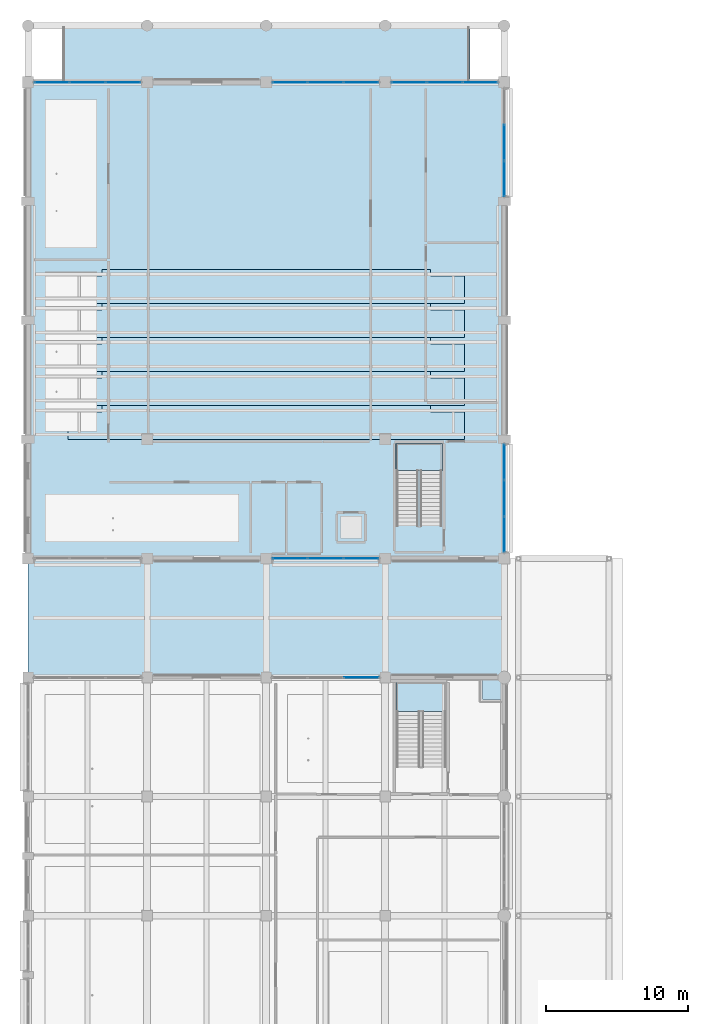
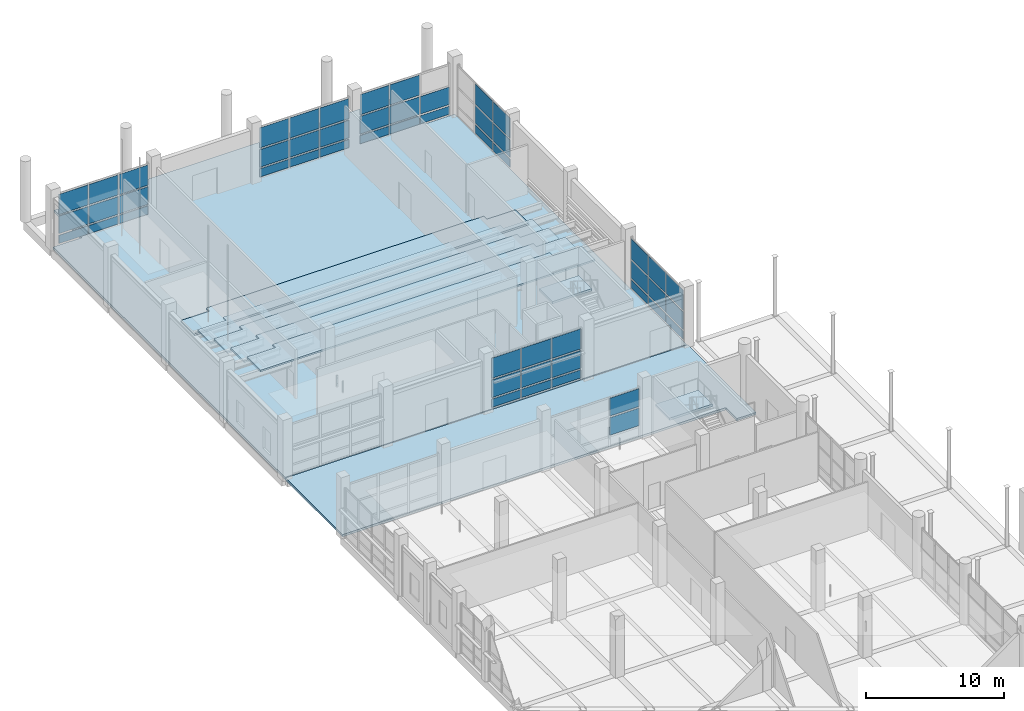
# One storey, part 50 of 140: 52 plates, 9 slabs, 9 elements without a shape of their own.
"""IFC4 building model written with IfcOpenShell, lengths in metres."""

import ifcopenshell
import ifcopenshell.guid

model = None  # the IFC model being written
_history = None  # IfcOwnerHistory: only IFC2X3 demands one
_inside = {}  # id of a spatial element -> (the spatial element, [elements in it])
_under = {}  # id of a project, library or spatial element -> (it, [spatial elements below it])
_declared = {}  # id of a project -> (the project, [libraries it declares])
_typed = {}  # id of a type object -> (the type object, [elements of that type])
_made_of = {}  # id of a material, layer set ... -> (it, [elements and type objects made of it])


def new_model(schema):
    """Start an empty IFC model of exactly this schema.

    Asked for "IFC4X3", IfcOpenShell would pick the latest addendum, in which some entities
    have other attributes; the version numbers below select the first issue.
    IFC2X3 requires an IfcOwnerHistory on every rooted entity: one is made here for all.
    """
    global model, _history
    if schema == "IFC4X3":
        model = ifcopenshell.file(schema_version=(4, 3, 0, 0))
    else:
        model = ifcopenshell.file(schema=schema)
    _inside.clear()
    _under.clear()
    _declared.clear()
    _typed.clear()
    _made_of.clear()
    _history = None
    if model.schema == "IFC2X3":
        org = make("IfcOrganization", Name="unknown")
        user = make(
            "IfcPersonAndOrganization",
            ThePerson=make("IfcPerson", FamilyName="unknown"),
            TheOrganization=org,
        )
        app = make(
            "IfcApplication",
            ApplicationDeveloper=org,
            Version="unknown",
            ApplicationFullName="unknown",
            ApplicationIdentifier="unknown",
        )
        _history = make(
            "IfcOwnerHistory",
            OwningUser=user,
            OwningApplication=app,
            ChangeAction="ADDED",
            CreationDate=0,
        )
    return model


def make(cls, **values):
    """One entity of the class cls with the attributes given. An attribute that is None is left unset."""
    return model.create_entity(
        cls, **{name: value for name, value in values.items() if value is not None}
    )


def rooted(cls, **values):
    """An entity with a GlobalId (a new one), such as an element, a storey or a relation."""
    return make(cls, GlobalId=ifcopenshell.guid.new(), OwnerHistory=_history, **values)


def si_unit(unit_type, name, prefix=None):
    """IfcSIUnit, for example si_unit("LENGTHUNIT", "METRE", prefix="MILLI")."""
    return make("IfcSIUnit", UnitType=unit_type, Prefix=prefix, Name=name)


def assignment(units):
    """IfcUnitAssignment: the units of a project."""
    return None if units is None else make("IfcUnitAssignment", Units=units)


def point(xyz):
    """IfcCartesianPoint."""
    return None if xyz is None else make("IfcCartesianPoint", Coordinates=xyz)


def direction(xyz):
    """IfcDirection."""
    return None if xyz is None else make("IfcDirection", DirectionRatios=xyz)


def frame(location, z_axis=None, x_axis=None):
    """IfcAxis2Placement3D, a coordinate frame: its origin and axes. An axis left out is left unset."""
    return make(
        "IfcAxis2Placement3D",
        Location=point(location),
        Axis=direction(z_axis),
        RefDirection=direction(x_axis),
    )


def frame_2d(location, x_axis=None):
    """IfcAxis2Placement2D, a coordinate frame in the plane: its origin and x axis."""
    return make(
        "IfcAxis2Placement2D", Location=point(location), RefDirection=direction(x_axis)
    )


def origin():
    """The frame at (0, 0, 0) with its axes left unset."""
    return frame((0.0, 0.0, 0.0))


def origin_2d():
    """The frame at (0, 0) in the plane with its x axis left unset."""
    return frame_2d((0.0, 0.0))


def place(relative_to, where):
    """IfcLocalPlacement: puts the frame where relative to a parent placement (None: the world)."""
    return make(
        "IfcLocalPlacement", PlacementRelTo=relative_to, RelativePlacement=where
    )


def context(
    kind, dimensions, precision=None, world=None, true_north=None, identifier=None
):
    """IfcGeometricRepresentationContext, for example the 3D "Model" context."""
    return make(
        "IfcGeometricRepresentationContext",
        ContextIdentifier=identifier,
        ContextType=kind,
        CoordinateSpaceDimension=dimensions,
        Precision=precision,
        WorldCoordinateSystem=world,
        TrueNorth=true_north,
    )


def subcontext(parent, identifier, kind, view, scale=None):
    """IfcGeometricRepresentationSubContext, for example "Body" below "Model"."""
    return make(
        "IfcGeometricRepresentationSubContext",
        ContextIdentifier=identifier,
        ContextType=kind,
        ParentContext=parent,
        TargetScale=scale,
        TargetView=view,
    )


def project(units=None, contexts=None):
    """IfcProject with its units and contexts."""
    return rooted(
        "IfcProject",
        Name="project",
        RepresentationContexts=contexts,
        UnitsInContext=assignment(units),
    )


def spatial(cls, under=None, at=None, **own):
    """A site, building, storey or space (cls), placed at a placement, below another one or the project."""
    s = rooted(cls, ObjectPlacement=at, **own)
    if under is not None:
        _under.setdefault(under.id(), (under, []))[1].append(s)
    return s


def polyline(points):
    """IfcPolyline through the points."""
    return make("IfcPolyline", Points=[point(p) for p in points])


def profile(cls, at=None, kind="AREA", **sizes):
    """A parametric profile (cls). Its sizes go by their IFC names, for example OverallWidth=200.0."""
    return make(cls, ProfileType=kind, Position=at, **sizes)


def rectangle(**sizes):
    """IfcRectangleProfileDef."""
    return profile("IfcRectangleProfileDef", **sizes)


def outline(outer, holes=None, kind="AREA"):
    """IfcArbitraryClosedProfileDef: a profile drawn as a closed curve; with holes, ...WithVoids."""
    if holes is None:
        return make("IfcArbitraryClosedProfileDef", ProfileType=kind, OuterCurve=outer)
    return make(
        "IfcArbitraryProfileDefWithVoids",
        ProfileType=kind,
        OuterCurve=outer,
        InnerCurves=holes,
    )


def extrude(swept, where, along, depth):
    """IfcExtrudedAreaSolid: the profile swept, set in the frame where, extruded along a direction by depth."""
    return make(
        "IfcExtrudedAreaSolid",
        SweptArea=swept,
        Position=where,
        ExtrudedDirection=direction(along),
        Depth=depth,
    )


def shape(context_of_items, identifier, shape_type, items):
    """IfcShapeRepresentation: the items that make up one representation, for example the "Body"."""
    return make(
        "IfcShapeRepresentation",
        ContextOfItems=context_of_items,
        RepresentationIdentifier=identifier,
        RepresentationType=shape_type,
        Items=items,
    )


def material(Name=None, Category=None):
    """IfcMaterial."""
    return make("IfcMaterial", Name=Name, Category=Category)


def layer(
    of_material, thickness, ventilated=None, Name=None, Category=None, Priority=None
):
    """IfcMaterialLayer: one layer of a wall or slab, of a material (None: an air gap)."""
    return make(
        "IfcMaterialLayer",
        Material=of_material,
        LayerThickness=thickness,
        IsVentilated=ventilated,
        Name=Name,
        Category=Category,
        Priority=Priority,
    )


def layer_set(layers, Name=None):
    """IfcMaterialLayerSet."""
    return make("IfcMaterialLayerSet", MaterialLayers=layers, LayerSetName=Name)


def made_of(thing, what):
    """Note that an element or type object is made of a material, layer set ...; save() writes the relation."""
    if what is not None:
        _made_of.setdefault(what.id(), (what, []))[1].append(thing)
    return thing


def type_object(cls, material=None, **own):
    """A type object (cls), such as IfcWallType, which elements share."""
    return made_of(rooted(cls, **own), material)


def element(
    cls,
    number,
    at=None,
    inside=None,
    cuts=None,
    type_object=None,
    material=None,
    context=None,
    identifier="Body",
    shape_type=None,
    held_by="IfcProductDefinitionShape",
    body=None,
    shapes=None,
    **own,
):
    """One element of the class cls, such as IfcWall. Its Tag is "e" and its number.

    at: its placement. inside: the storey or other place that contains it. cuts: it is an
    opening in that element (IfcRelVoidsElement). A single representation is given by context,
    identifier, shape_type and body (its items); several are given by shapes. held_by: the class
    of the entity that holds the representations. save() writes the other relations.
    """
    e = rooted(cls, Tag="e%d" % number, ObjectPlacement=at, **own)
    if body is not None:
        shapes = [shape(context, identifier, shape_type, body)]
    if shapes is not None:
        e.Representation = make(held_by, Representations=shapes)
    if inside is not None:
        _inside.setdefault(inside.id(), (inside, []))[1].append(e)
    if cuts is not None:
        rooted(
            "IfcRelVoidsElement", RelatingBuildingElement=cuts, RelatedOpeningElement=e
        )
    if type_object is not None:
        _typed.setdefault(type_object.id(), (type_object, []))[1].append(e)
    return made_of(e, material)


def aggregate(whole, parts):
    """IfcRelAggregates: a whole, such as a stair, and the parts it consists of."""
    return rooted("IfcRelAggregates", RelatingObject=whole, RelatedObjects=parts)


def save(model, path):
    """Write the relations noted so far, then the file.

    IfcRelAggregates (storeys below a building ...), IfcRelContainedInSpatialStructure (elements
    in a storey), IfcRelDefinesByType, IfcRelAssociatesMaterial and IfcRelDeclares: one each for
    every whole, place, type object, material and project.
    """
    for whole, parts in _under.values():
        aggregate(whole, parts)
    for where, things in _inside.values():
        rooted(
            "IfcRelContainedInSpatialStructure",
            RelatedElements=things,
            RelatingStructure=where,
        )
    for kind, things in _typed.values():
        rooted("IfcRelDefinesByType", RelatedObjects=things, RelatingType=kind)
    for what, things in _made_of.values():
        rooted("IfcRelAssociatesMaterial", RelatedObjects=things, RelatingMaterial=what)
    for by, libraries in _declared.values():
        rooted("IfcRelDeclares", RelatingContext=by, RelatedDefinitions=libraries)
    model.write(path)


model = new_model("IFC4")

# Units and contexts
model_context = context("Model", 3, precision=1e-05, world=origin(), true_north=direction((0.0, 1.0)))
body_context = subcontext(model_context, "Body", "Model", "MODEL_VIEW")
ifc_project = project(units=[si_unit("LENGTHUNIT", "METRE"), si_unit("AREAUNIT", "SQUARE_METRE"), si_unit("VOLUMEUNIT", "CUBIC_METRE"), si_unit("PLANEANGLEUNIT", "RADIAN"), si_unit("MASSUNIT", "GRAM", prefix="KILO")], contexts=[model_context])

# Site, building, storey
site_placement = place(None, origin())
site = spatial("IfcSite", under=ifc_project, at=site_placement, CompositionType="ELEMENT")
building_placement = place(site_placement, origin())
building = spatial("IfcBuilding", under=site, at=building_placement, Name="Telukmera Botanical Conservatory", CompositionType="ELEMENT")
storey_placement = place(building_placement, origin())
storey = spatial("IfcBuildingStorey", under=building, at=storey_placement, Name="L00", CompositionType="ELEMENT", Elevation=0.0)

# Curtain wall, plates
ifc_material_1 = material(Name="Anodised aluminium 6063-T6", Category="aluminium")
ifc_layer_1 = layer(ifc_material_1, 0.179931640625)
ifc_layer_set_1 = layer_set([ifc_layer_1], Name="Anodised aluminium 6063-T6")
curtain_wall_type_1 = type_object("IfcCurtainWallType", Name="Auditorium Ground Foyer Acoustic Curtain Wall", PredefinedType="USERDEFINED", material=ifc_layer_set_1)
curtain_wall_1_placement = place(storey_placement, origin())
curtain_wall_1 = element("IfcCurtainWall", 1, at=curtain_wall_1_placement, inside=storey, type_object=curtain_wall_type_1, Name="Unitised Curtain Wall CW04 V2:L00:S3", ObjectType="UNITISED CURTAIN WALL", PredefinedType="USERDEFINED")
ifc_material_2 = material(Name="Spectrally selective low-E double glazing", Category="glass")
ifc_layer_2 = layer(ifc_material_2, 0.044921875)
ifc_layer_set_2 = layer_set([ifc_layer_2], Name="Spectrally selective low-E double glazing")
plate_type_1 = type_object("IfcPlateType", Name="Acoustic Triple Laminated Foyer Glazing Panel 45", PredefinedType="CURTAIN_PANEL", material=ifc_layer_set_2)
plate_1_placement = place(storey_placement, frame((26.885498046875, 83.199951171875, 0.14990234375), z_axis=(0.0, 0.0, 1.0), x_axis=(1.0, 0.0, 0.0)))
plate_1 = element("IfcPlate", 2, at=plate_1_placement, type_object=plate_type_1, Name="CW04 panel 1.1", PredefinedType="CURTAIN_PANEL", context=body_context, shape_type="SweptSolid", body=[
    extrude(rectangle(XDim=2.427001953125, YDim=0.044921875, at=origin_2d()), origin(), (0.0, 0.0, 1.0), 0.72509765625),
])
plate_2_placement = place(storey_placement, frame((26.885498046875, 83.199951171875, 1.02490234375), z_axis=(0.0, 0.0, 1.0), x_axis=(1.0, 0.0, 0.0)))
plate_2 = element("IfcPlate", 3, at=plate_2_placement, type_object=plate_type_1, Name="CW04 panel 1.2", PredefinedType="CURTAIN_PANEL", context=body_context, shape_type="SweptSolid", body=[
    extrude(rectangle(XDim=2.427001953125, YDim=0.044921875, at=origin_2d()), origin(), (0.0, 0.0, 1.0), 1.550048828125),
])
plate_3_placement = place(storey_placement, frame((26.885498046875, 83.199951171875, 2.72509765625), z_axis=(0.0, 0.0, 1.0), x_axis=(1.0, 0.0, 0.0)))
plate_3 = element("IfcPlate", 4, at=plate_3_placement, type_object=plate_type_1, Name="CW04 panel 1.3", PredefinedType="CURTAIN_PANEL", context=body_context, shape_type="SweptSolid", body=[
    extrude(rectangle(XDim=2.427001953125, YDim=0.044921875, at=origin_2d()), origin(), (0.0, 0.0, 1.0), 1.77490234375),
])
plate_4_placement = place(storey_placement, frame((29.39990234375, 83.199951171875, 0.14990234375), z_axis=(0.0, 0.0, 1.0), x_axis=(1.0, 0.0, 0.0)))
plate_4 = element("IfcPlate", 5, at=plate_4_placement, type_object=plate_type_1, Name="CW04 panel 2.1", PredefinedType="CURTAIN_PANEL", context=body_context, shape_type="SweptSolid", body=[
    extrude(rectangle(XDim=2.4619140625, YDim=0.044921875, at=origin_2d()), origin(), (0.0, 0.0, 1.0), 0.72509765625),
])
plate_5_placement = place(storey_placement, frame((29.39990234375, 83.199951171875, 1.02490234375), z_axis=(0.0, 0.0, 1.0), x_axis=(1.0, 0.0, 0.0)))
plate_5 = element("IfcPlate", 6, at=plate_5_placement, type_object=plate_type_1, Name="CW04 panel 2.2", PredefinedType="CURTAIN_PANEL", context=body_context, shape_type="SweptSolid", body=[
    extrude(rectangle(XDim=2.4619140625, YDim=0.044921875, at=origin_2d()), origin(), (0.0, 0.0, 1.0), 1.550048828125),
])
plate_6_placement = place(storey_placement, frame((29.39990234375, 83.199951171875, 2.72509765625), z_axis=(0.0, 0.0, 1.0), x_axis=(1.0, 0.0, 0.0)))
plate_6 = element("IfcPlate", 7, at=plate_6_placement, type_object=plate_type_1, Name="CW04 panel 2.3", PredefinedType="CURTAIN_PANEL", context=body_context, shape_type="SweptSolid", body=[
    extrude(rectangle(XDim=2.4619140625, YDim=0.044921875, at=origin_2d()), origin(), (0.0, 0.0, 1.0), 1.77490234375),
])
plate_7_placement = place(storey_placement, frame((31.91455078125, 83.199951171875, 0.14990234375), z_axis=(0.0, 0.0, 1.0), x_axis=(1.0, 0.0, 0.0)))
plate_7 = element("IfcPlate", 8, at=plate_7_placement, type_object=plate_type_1, Name="CW04 panel 3.1", PredefinedType="CURTAIN_PANEL", context=body_context, shape_type="SweptSolid", body=[
    extrude(rectangle(XDim=2.427001953125, YDim=0.044921875, at=origin_2d()), origin(), (0.0, 0.0, 1.0), 0.72509765625),
])
plate_8_placement = place(storey_placement, frame((31.91455078125, 83.199951171875, 1.02490234375), z_axis=(0.0, 0.0, 1.0), x_axis=(1.0, 0.0, 0.0)))
plate_8 = element("IfcPlate", 9, at=plate_8_placement, type_object=plate_type_1, Name="CW04 panel 3.2", PredefinedType="CURTAIN_PANEL", context=body_context, shape_type="SweptSolid", body=[
    extrude(rectangle(XDim=2.427001953125, YDim=0.044921875, at=origin_2d()), origin(), (0.0, 0.0, 1.0), 1.550048828125),
])
plate_9_placement = place(storey_placement, frame((31.91455078125, 83.199951171875, 2.72509765625), z_axis=(0.0, 0.0, 1.0), x_axis=(1.0, 0.0, 0.0)))
plate_9 = element("IfcPlate", 10, at=plate_9_placement, type_object=plate_type_1, Name="CW04 panel 3.3", PredefinedType="CURTAIN_PANEL", context=body_context, shape_type="SweptSolid", body=[
    extrude(rectangle(XDim=2.427001953125, YDim=0.044921875, at=origin_2d()), origin(), (0.0, 0.0, 1.0), 1.77490234375),
])
aggregate(curtain_wall_1, [plate_1, plate_2, plate_3, plate_4, plate_5, plate_6, plate_7, plate_8, plate_9])

curtain_wall_2_placement = place(storey_placement, origin())
curtain_wall_2 = element("IfcCurtainWall", 11, at=curtain_wall_2_placement, inside=storey, type_object=curtain_wall_type_1, Name="Unitised Curtain Wall CW04 V2:L00:N1", ObjectType="UNITISED CURTAIN WALL", PredefinedType="USERDEFINED")
plate_10_placement = place(storey_placement, frame((10.08544921875, 116.800048828125, 0.14990234375), z_axis=(0.0, 0.0, 1.0), x_axis=(1.0, 0.0, 0.0)))
plate_10 = element("IfcPlate", 12, at=plate_10_placement, type_object=plate_type_1, Name="CW04 panel 1.1", PredefinedType="CURTAIN_PANEL", context=body_context, shape_type="SweptSolid", body=[
    extrude(rectangle(XDim=2.427001953125, YDim=0.044921875, at=origin_2d()), origin(), (0.0, 0.0, 1.0), 0.72509765625),
])
plate_11_placement = place(storey_placement, frame((10.08544921875, 116.800048828125, 1.02490234375), z_axis=(0.0, 0.0, 1.0), x_axis=(1.0, 0.0, 0.0)))
plate_11 = element("IfcPlate", 13, at=plate_11_placement, type_object=plate_type_1, Name="CW04 panel 1.2", PredefinedType="CURTAIN_PANEL", context=body_context, shape_type="SweptSolid", body=[
    extrude(rectangle(XDim=2.427001953125, YDim=0.044921875, at=origin_2d()), origin(), (0.0, 0.0, 1.0), 1.550048828125),
])
plate_12_placement = place(storey_placement, frame((10.08544921875, 116.800048828125, 2.72509765625), z_axis=(0.0, 0.0, 1.0), x_axis=(1.0, 0.0, 0.0)))
plate_12 = element("IfcPlate", 14, at=plate_12_placement, type_object=plate_type_1, Name="CW04 panel 1.3", PredefinedType="CURTAIN_PANEL", context=body_context, shape_type="SweptSolid", body=[
    extrude(rectangle(XDim=2.427001953125, YDim=0.044921875, at=origin_2d()), origin(), (0.0, 0.0, 1.0), 1.77490234375),
])
plate_13_placement = place(storey_placement, frame((12.60009765625, 116.800048828125, 0.14990234375), z_axis=(0.0, 0.0, 1.0), x_axis=(1.0, 0.0, 0.0)))
plate_13 = element("IfcPlate", 15, at=plate_13_placement, type_object=plate_type_1, Name="CW04 panel 2.1", PredefinedType="CURTAIN_PANEL", context=body_context, shape_type="SweptSolid", body=[
    extrude(rectangle(XDim=2.4619140625, YDim=0.044921875, at=origin_2d()), origin(), (0.0, 0.0, 1.0), 0.72509765625),
])
plate_14_placement = place(storey_placement, frame((12.60009765625, 116.800048828125, 1.02490234375), z_axis=(0.0, 0.0, 1.0), x_axis=(1.0, 0.0, 0.0)))
plate_14 = element("IfcPlate", 16, at=plate_14_placement, type_object=plate_type_1, Name="CW04 panel 2.2", PredefinedType="CURTAIN_PANEL", context=body_context, shape_type="SweptSolid", body=[
    extrude(rectangle(XDim=2.4619140625, YDim=0.044921875, at=origin_2d()), origin(), (0.0, 0.0, 1.0), 1.550048828125),
])
plate_15_placement = place(storey_placement, frame((12.60009765625, 116.800048828125, 2.72509765625), z_axis=(0.0, 0.0, 1.0), x_axis=(1.0, 0.0, 0.0)))
plate_15 = element("IfcPlate", 17, at=plate_15_placement, type_object=plate_type_1, Name="CW04 panel 2.3", PredefinedType="CURTAIN_PANEL", context=body_context, shape_type="SweptSolid", body=[
    extrude(rectangle(XDim=2.4619140625, YDim=0.044921875, at=origin_2d()), origin(), (0.0, 0.0, 1.0), 1.77490234375),
])
plate_16_placement = place(storey_placement, frame((15.114501953125, 116.800048828125, 0.14990234375), z_axis=(0.0, 0.0, 1.0), x_axis=(1.0, 0.0, 0.0)))
plate_16 = element("IfcPlate", 18, at=plate_16_placement, type_object=plate_type_1, Name="CW04 panel 3.1", PredefinedType="CURTAIN_PANEL", context=body_context, shape_type="SweptSolid", body=[
    extrude(rectangle(XDim=2.427001953125, YDim=0.044921875, at=origin_2d()), origin(), (0.0, 0.0, 1.0), 0.72509765625),
])
plate_17_placement = place(storey_placement, frame((15.114501953125, 116.800048828125, 1.02490234375), z_axis=(0.0, 0.0, 1.0), x_axis=(1.0, 0.0, 0.0)))
plate_17 = element("IfcPlate", 19, at=plate_17_placement, type_object=plate_type_1, Name="CW04 panel 3.2", PredefinedType="CURTAIN_PANEL", context=body_context, shape_type="SweptSolid", body=[
    extrude(rectangle(XDim=2.427001953125, YDim=0.044921875, at=origin_2d()), origin(), (0.0, 0.0, 1.0), 1.550048828125),
])
plate_18_placement = place(storey_placement, frame((15.114501953125, 116.800048828125, 2.72509765625), z_axis=(0.0, 0.0, 1.0), x_axis=(1.0, 0.0, 0.0)))
plate_18 = element("IfcPlate", 20, at=plate_18_placement, type_object=plate_type_1, Name="CW04 panel 3.3", PredefinedType="CURTAIN_PANEL", context=body_context, shape_type="SweptSolid", body=[
    extrude(rectangle(XDim=2.427001953125, YDim=0.044921875, at=origin_2d()), origin(), (0.0, 0.0, 1.0), 1.77490234375),
])
aggregate(curtain_wall_2, [plate_10, plate_11, plate_12, plate_13, plate_14, plate_15, plate_16, plate_17, plate_18])

curtain_wall_3_placement = place(storey_placement, origin())
curtain_wall_3 = element("IfcCurtainWall", 21, at=curtain_wall_3_placement, inside=storey, type_object=curtain_wall_type_1, Name="Unitised Curtain Wall CW04 V2:L00:N3", ObjectType="UNITISED CURTAIN WALL", PredefinedType="USERDEFINED")
plate_19_placement = place(storey_placement, frame((26.885498046875, 116.800048828125, 0.14990234375), z_axis=(0.0, 0.0, 1.0), x_axis=(1.0, 0.0, 0.0)))
plate_19 = element("IfcPlate", 22, at=plate_19_placement, type_object=plate_type_1, Name="CW04 panel 1.1", PredefinedType="CURTAIN_PANEL", context=body_context, shape_type="SweptSolid", body=[
    extrude(rectangle(XDim=2.427001953125, YDim=0.044921875, at=origin_2d()), origin(), (0.0, 0.0, 1.0), 0.72509765625),
])
plate_20_placement = place(storey_placement, frame((26.885498046875, 116.800048828125, 1.02490234375), z_axis=(0.0, 0.0, 1.0), x_axis=(1.0, 0.0, 0.0)))
plate_20 = element("IfcPlate", 23, at=plate_20_placement, type_object=plate_type_1, Name="CW04 panel 1.2", PredefinedType="CURTAIN_PANEL", context=body_context, shape_type="SweptSolid", body=[
    extrude(rectangle(XDim=2.427001953125, YDim=0.044921875, at=origin_2d()), origin(), (0.0, 0.0, 1.0), 1.550048828125),
])
plate_21_placement = place(storey_placement, frame((26.885498046875, 116.800048828125, 2.72509765625), z_axis=(0.0, 0.0, 1.0), x_axis=(1.0, 0.0, 0.0)))
plate_21 = element("IfcPlate", 24, at=plate_21_placement, type_object=plate_type_1, Name="CW04 panel 1.3", PredefinedType="CURTAIN_PANEL", context=body_context, shape_type="SweptSolid", body=[
    extrude(rectangle(XDim=2.427001953125, YDim=0.044921875, at=origin_2d()), origin(), (0.0, 0.0, 1.0), 1.77490234375),
])
plate_22_placement = place(storey_placement, frame((29.39990234375, 116.800048828125, 0.14990234375), z_axis=(0.0, 0.0, 1.0), x_axis=(1.0, 0.0, 0.0)))
plate_22 = element("IfcPlate", 25, at=plate_22_placement, type_object=plate_type_1, Name="CW04 panel 2.1", PredefinedType="CURTAIN_PANEL", context=body_context, shape_type="SweptSolid", body=[
    extrude(rectangle(XDim=2.4619140625, YDim=0.044921875, at=origin_2d()), origin(), (0.0, 0.0, 1.0), 0.72509765625),
])
plate_23_placement = place(storey_placement, frame((29.39990234375, 116.800048828125, 1.02490234375), z_axis=(0.0, 0.0, 1.0), x_axis=(1.0, 0.0, 0.0)))
plate_23 = element("IfcPlate", 26, at=plate_23_placement, type_object=plate_type_1, Name="CW04 panel 2.2", PredefinedType="CURTAIN_PANEL", context=body_context, shape_type="SweptSolid", body=[
    extrude(rectangle(XDim=2.4619140625, YDim=0.044921875, at=origin_2d()), origin(), (0.0, 0.0, 1.0), 1.550048828125),
])
plate_24_placement = place(storey_placement, frame((29.39990234375, 116.800048828125, 2.72509765625), z_axis=(0.0, 0.0, 1.0), x_axis=(1.0, 0.0, 0.0)))
plate_24 = element("IfcPlate", 27, at=plate_24_placement, type_object=plate_type_1, Name="CW04 panel 2.3", PredefinedType="CURTAIN_PANEL", context=body_context, shape_type="SweptSolid", body=[
    extrude(rectangle(XDim=2.4619140625, YDim=0.044921875, at=origin_2d()), origin(), (0.0, 0.0, 1.0), 1.77490234375),
])
plate_25_placement = place(storey_placement, frame((31.91455078125, 116.800048828125, 0.14990234375), z_axis=(0.0, 0.0, 1.0), x_axis=(1.0, 0.0, 0.0)))
plate_25 = element("IfcPlate", 28, at=plate_25_placement, type_object=plate_type_1, Name="CW04 panel 3.1", PredefinedType="CURTAIN_PANEL", context=body_context, shape_type="SweptSolid", body=[
    extrude(rectangle(XDim=2.427001953125, YDim=0.044921875, at=origin_2d()), origin(), (0.0, 0.0, 1.0), 0.72509765625),
])
plate_26_placement = place(storey_placement, frame((31.91455078125, 116.800048828125, 1.02490234375), z_axis=(0.0, 0.0, 1.0), x_axis=(1.0, 0.0, 0.0)))
plate_26 = element("IfcPlate", 29, at=plate_26_placement, type_object=plate_type_1, Name="CW04 panel 3.2", PredefinedType="CURTAIN_PANEL", context=body_context, shape_type="SweptSolid", body=[
    extrude(rectangle(XDim=2.427001953125, YDim=0.044921875, at=origin_2d()), origin(), (0.0, 0.0, 1.0), 1.550048828125),
])
plate_27_placement = place(storey_placement, frame((31.91455078125, 116.800048828125, 2.72509765625), z_axis=(0.0, 0.0, 1.0), x_axis=(1.0, 0.0, 0.0)))
plate_27 = element("IfcPlate", 30, at=plate_27_placement, type_object=plate_type_1, Name="CW04 panel 3.3", PredefinedType="CURTAIN_PANEL", context=body_context, shape_type="SweptSolid", body=[
    extrude(rectangle(XDim=2.427001953125, YDim=0.044921875, at=origin_2d()), origin(), (0.0, 0.0, 1.0), 1.77490234375),
])
aggregate(curtain_wall_3, [plate_19, plate_20, plate_21, plate_22, plate_23, plate_24, plate_25, plate_26, plate_27])

curtain_wall_4_placement = place(storey_placement, origin())
curtain_wall_4 = element("IfcCurtainWall", 31, at=curtain_wall_4_placement, inside=storey, type_object=curtain_wall_type_1, Name="Unitised Curtain Wall CW04 V2:L00:N4", ObjectType="UNITISED CURTAIN WALL", PredefinedType="USERDEFINED")
plate_28_placement = place(storey_placement, frame((35.285400390625, 116.800048828125, 0.14990234375), z_axis=(0.0, 0.0, 1.0), x_axis=(1.0, 0.0, 0.0)))
plate_28 = element("IfcPlate", 32, at=plate_28_placement, type_object=plate_type_1, Name="CW04 panel 1.1", PredefinedType="CURTAIN_PANEL", context=body_context, shape_type="SweptSolid", body=[
    extrude(rectangle(XDim=2.427001953125, YDim=0.044921875, at=origin_2d()), origin(), (0.0, 0.0, 1.0), 0.72509765625),
])
plate_29_placement = place(storey_placement, frame((35.285400390625, 116.800048828125, 1.02490234375), z_axis=(0.0, 0.0, 1.0), x_axis=(1.0, 0.0, 0.0)))
plate_29 = element("IfcPlate", 33, at=plate_29_placement, type_object=plate_type_1, Name="CW04 panel 1.2", PredefinedType="CURTAIN_PANEL", context=body_context, shape_type="SweptSolid", body=[
    extrude(rectangle(XDim=2.427001953125, YDim=0.044921875, at=origin_2d()), origin(), (0.0, 0.0, 1.0), 1.550048828125),
])
plate_30_placement = place(storey_placement, frame((35.285400390625, 116.800048828125, 2.72509765625), z_axis=(0.0, 0.0, 1.0), x_axis=(1.0, 0.0, 0.0)))
plate_30 = element("IfcPlate", 34, at=plate_30_placement, type_object=plate_type_1, Name="CW04 panel 1.3", PredefinedType="CURTAIN_PANEL", context=body_context, shape_type="SweptSolid", body=[
    extrude(rectangle(XDim=2.427001953125, YDim=0.044921875, at=origin_2d()), origin(), (0.0, 0.0, 1.0), 1.77490234375),
])
plate_31_placement = place(storey_placement, frame((37.800048828125, 116.800048828125, 0.14990234375), z_axis=(0.0, 0.0, 1.0), x_axis=(1.0, 0.0, 0.0)))
plate_31 = element("IfcPlate", 35, at=plate_31_placement, type_object=plate_type_1, Name="CW04 panel 2.1", PredefinedType="CURTAIN_PANEL", context=body_context, shape_type="SweptSolid", body=[
    extrude(rectangle(XDim=2.4619140625, YDim=0.044921875, at=origin_2d()), origin(), (0.0, 0.0, 1.0), 0.72509765625),
])
plate_32_placement = place(storey_placement, frame((37.800048828125, 116.800048828125, 1.02490234375), z_axis=(0.0, 0.0, 1.0), x_axis=(1.0, 0.0, 0.0)))
plate_32 = element("IfcPlate", 36, at=plate_32_placement, type_object=plate_type_1, Name="CW04 panel 2.2", PredefinedType="CURTAIN_PANEL", context=body_context, shape_type="SweptSolid", body=[
    extrude(rectangle(XDim=2.4619140625, YDim=0.044921875, at=origin_2d()), origin(), (0.0, 0.0, 1.0), 1.550048828125),
])
plate_33_placement = place(storey_placement, frame((37.800048828125, 116.800048828125, 2.72509765625), z_axis=(0.0, 0.0, 1.0), x_axis=(1.0, 0.0, 0.0)))
plate_33 = element("IfcPlate", 37, at=plate_33_placement, type_object=plate_type_1, Name="CW04 panel 2.3", PredefinedType="CURTAIN_PANEL", context=body_context, shape_type="SweptSolid", body=[
    extrude(rectangle(XDim=2.4619140625, YDim=0.044921875, at=origin_2d()), origin(), (0.0, 0.0, 1.0), 1.77490234375),
])
plate_34_placement = place(storey_placement, frame((40.314453125, 116.800048828125, 0.14990234375), z_axis=(0.0, 0.0, 1.0), x_axis=(1.0, 0.0, 0.0)))
plate_34 = element("IfcPlate", 38, at=plate_34_placement, type_object=plate_type_1, Name="CW04 panel 3.1", PredefinedType="CURTAIN_PANEL", context=body_context, shape_type="SweptSolid", body=[
    extrude(rectangle(XDim=2.427001953125, YDim=0.044921875, at=origin_2d()), origin(), (0.0, 0.0, 1.0), 0.72509765625),
])
plate_35_placement = place(storey_placement, frame((40.314453125, 116.800048828125, 1.02490234375), z_axis=(0.0, 0.0, 1.0), x_axis=(1.0, 0.0, 0.0)))
plate_35 = element("IfcPlate", 39, at=plate_35_placement, type_object=plate_type_1, Name="CW04 panel 3.2", PredefinedType="CURTAIN_PANEL", context=body_context, shape_type="SweptSolid", body=[
    extrude(rectangle(XDim=2.427001953125, YDim=0.044921875, at=origin_2d()), origin(), (0.0, 0.0, 1.0), 1.550048828125),
])
aggregate(curtain_wall_4, [plate_28, plate_29, plate_30, plate_31, plate_32, plate_33, plate_34, plate_35])

curtain_wall_5_placement = place(storey_placement, origin())
curtain_wall_5 = element("IfcCurtainWall", 40, at=curtain_wall_5_placement, inside=storey, type_object=curtain_wall_type_1, Name="Unitised Curtain Wall CW04 V2:L00:E1", ObjectType="UNITISED CURTAIN WALL", PredefinedType="USERDEFINED")
plate_36_placement = place(storey_placement, frame((42.0, 84.902099609375, 0.14990234375), z_axis=(0.0, 0.0, 1.0), x_axis=(0.0, 1.0, 0.0)))
plate_36 = element("IfcPlate", 41, at=plate_36_placement, type_object=plate_type_1, Name="CW04 panel 1.1", PredefinedType="CURTAIN_PANEL", context=body_context, shape_type="SweptSolid", body=[
    extrude(rectangle(XDim=2.46044921875, YDim=0.044921875, at=origin_2d()), origin(), (0.0, 0.0, 1.0), 0.72509765625),
])
plate_37_placement = place(storey_placement, frame((42.0, 84.902099609375, 1.02490234375), z_axis=(0.0, 0.0, 1.0), x_axis=(0.0, 1.0, 0.0)))
plate_37 = element("IfcPlate", 42, at=plate_37_placement, type_object=plate_type_1, Name="CW04 panel 1.2", PredefinedType="CURTAIN_PANEL", context=body_context, shape_type="SweptSolid", body=[
    extrude(rectangle(XDim=2.46044921875, YDim=0.044921875, at=origin_2d()), origin(), (0.0, 0.0, 1.0), 1.550048828125),
])
plate_38_placement = place(storey_placement, frame((42.0, 84.902099609375, 2.72509765625), z_axis=(0.0, 0.0, 1.0), x_axis=(0.0, 1.0, 0.0)))
plate_38 = element("IfcPlate", 43, at=plate_38_placement, type_object=plate_type_1, Name="CW04 panel 1.3", PredefinedType="CURTAIN_PANEL", context=body_context, shape_type="SweptSolid", body=[
    extrude(rectangle(XDim=2.46044921875, YDim=0.044921875, at=origin_2d()), origin(), (0.0, 0.0, 1.0), 1.77490234375),
])
plate_39_placement = place(storey_placement, frame((42.0, 87.449951171875, 0.14990234375), z_axis=(0.0, 0.0, 1.0), x_axis=(0.0, 1.0, 0.0)))
plate_39 = element("IfcPlate", 44, at=plate_39_placement, type_object=plate_type_1, Name="CW04 panel 2.1", PredefinedType="CURTAIN_PANEL", context=body_context, shape_type="SweptSolid", body=[
    extrude(rectangle(XDim=2.495361328125, YDim=0.044921875, at=origin_2d()), origin(), (0.0, 0.0, 1.0), 0.72509765625),
])
plate_40_placement = place(storey_placement, frame((42.0, 87.449951171875, 1.02490234375), z_axis=(0.0, 0.0, 1.0), x_axis=(0.0, 1.0, 0.0)))
plate_40 = element("IfcPlate", 45, at=plate_40_placement, type_object=plate_type_1, Name="CW04 panel 2.2", PredefinedType="CURTAIN_PANEL", context=body_context, shape_type="SweptSolid", body=[
    extrude(rectangle(XDim=2.495361328125, YDim=0.044921875, at=origin_2d()), origin(), (0.0, 0.0, 1.0), 1.550048828125),
])
plate_41_placement = place(storey_placement, frame((42.0, 87.449951171875, 2.72509765625), z_axis=(0.0, 0.0, 1.0), x_axis=(0.0, 1.0, 0.0)))
plate_41 = element("IfcPlate", 46, at=plate_41_placement, type_object=plate_type_1, Name="CW04 panel 2.3", PredefinedType="CURTAIN_PANEL", context=body_context, shape_type="SweptSolid", body=[
    extrude(rectangle(XDim=2.495361328125, YDim=0.044921875, at=origin_2d()), origin(), (0.0, 0.0, 1.0), 1.77490234375),
])
plate_42_placement = place(storey_placement, frame((42.0, 89.997802734375, 0.14990234375), z_axis=(0.0, 0.0, 1.0), x_axis=(0.0, 1.0, 0.0)))
plate_42 = element("IfcPlate", 47, at=plate_42_placement, type_object=plate_type_1, Name="CW04 panel 3.1", PredefinedType="CURTAIN_PANEL", context=body_context, shape_type="SweptSolid", body=[
    extrude(rectangle(XDim=2.46044921875, YDim=0.044921875, at=origin_2d()), origin(), (0.0, 0.0, 1.0), 0.72509765625),
])
plate_43_placement = place(storey_placement, frame((42.0, 89.997802734375, 1.02490234375), z_axis=(0.0, 0.0, 1.0), x_axis=(0.0, 1.0, 0.0)))
plate_43 = element("IfcPlate", 48, at=plate_43_placement, type_object=plate_type_1, Name="CW04 panel 3.2", PredefinedType="CURTAIN_PANEL", context=body_context, shape_type="SweptSolid", body=[
    extrude(rectangle(XDim=2.46044921875, YDim=0.044921875, at=origin_2d()), origin(), (0.0, 0.0, 1.0), 1.550048828125),
])
plate_44_placement = place(storey_placement, frame((42.0, 89.997802734375, 2.72509765625), z_axis=(0.0, 0.0, 1.0), x_axis=(0.0, 1.0, 0.0)))
plate_44 = element("IfcPlate", 49, at=plate_44_placement, type_object=plate_type_1, Name="CW04 panel 3.3", PredefinedType="CURTAIN_PANEL", context=body_context, shape_type="SweptSolid", body=[
    extrude(rectangle(XDim=2.46044921875, YDim=0.044921875, at=origin_2d()), origin(), (0.0, 0.0, 1.0), 1.77490234375),
])
aggregate(curtain_wall_5, [plate_36, plate_37, plate_38, plate_39, plate_40, plate_41, plate_42, plate_43, plate_44])

curtain_wall_6_placement = place(storey_placement, origin())
curtain_wall_6 = element("IfcCurtainWall", 50, at=curtain_wall_6_placement, inside=storey, type_object=curtain_wall_type_1, Name="Unitised Curtain Wall CW04 V2:L00:E4", ObjectType="UNITISED CURTAIN WALL", PredefinedType="USERDEFINED")
plate_45_placement = place(storey_placement, frame((42.0, 110.002197265625, 0.14990234375), z_axis=(0.0, 0.0, 1.0), x_axis=(0.0, 1.0, 0.0)))
plate_45 = element("IfcPlate", 51, at=plate_45_placement, type_object=plate_type_1, Name="CW04 panel 1.1", PredefinedType="CURTAIN_PANEL", context=body_context, shape_type="SweptSolid", body=[
    extrude(rectangle(XDim=2.46044921875, YDim=0.044921875, at=origin_2d()), origin(), (0.0, 0.0, 1.0), 0.72509765625),
])
plate_46_placement = place(storey_placement, frame((42.0, 110.002197265625, 1.02490234375), z_axis=(0.0, 0.0, 1.0), x_axis=(0.0, 1.0, 0.0)))
plate_46 = element("IfcPlate", 52, at=plate_46_placement, type_object=plate_type_1, Name="CW04 panel 1.2", PredefinedType="CURTAIN_PANEL", context=body_context, shape_type="SweptSolid", body=[
    extrude(rectangle(XDim=2.46044921875, YDim=0.044921875, at=origin_2d()), origin(), (0.0, 0.0, 1.0), 1.550048828125),
])
plate_47_placement = place(storey_placement, frame((42.0, 110.002197265625, 2.72509765625), z_axis=(0.0, 0.0, 1.0), x_axis=(0.0, 1.0, 0.0)))
plate_47 = element("IfcPlate", 53, at=plate_47_placement, type_object=plate_type_1, Name="CW04 panel 1.3", PredefinedType="CURTAIN_PANEL", context=body_context, shape_type="SweptSolid", body=[
    extrude(rectangle(XDim=2.46044921875, YDim=0.044921875, at=origin_2d()), origin(), (0.0, 0.0, 1.0), 1.77490234375),
])
plate_48_placement = place(storey_placement, frame((42.0, 112.550048828125, 0.14990234375), z_axis=(0.0, 0.0, 1.0), x_axis=(0.0, 1.0, 0.0)))
plate_48 = element("IfcPlate", 54, at=plate_48_placement, type_object=plate_type_1, Name="CW04 panel 2.1", PredefinedType="CURTAIN_PANEL", context=body_context, shape_type="SweptSolid", body=[
    extrude(rectangle(XDim=2.495361328125, YDim=0.044921875, at=origin_2d()), origin(), (0.0, 0.0, 1.0), 0.72509765625),
])
plate_49_placement = place(storey_placement, frame((42.0, 112.550048828125, 1.02490234375), z_axis=(0.0, 0.0, 1.0), x_axis=(0.0, 1.0, 0.0)))
plate_49 = element("IfcPlate", 55, at=plate_49_placement, type_object=plate_type_1, Name="CW04 panel 2.2", PredefinedType="CURTAIN_PANEL", context=body_context, shape_type="SweptSolid", body=[
    extrude(rectangle(XDim=2.495361328125, YDim=0.044921875, at=origin_2d()), origin(), (0.0, 0.0, 1.0), 1.550048828125),
])
plate_50_placement = place(storey_placement, frame((42.0, 112.550048828125, 2.72509765625), z_axis=(0.0, 0.0, 1.0), x_axis=(0.0, 1.0, 0.0)))
plate_50 = element("IfcPlate", 56, at=plate_50_placement, type_object=plate_type_1, Name="CW04 panel 2.3", PredefinedType="CURTAIN_PANEL", context=body_context, shape_type="SweptSolid", body=[
    extrude(rectangle(XDim=2.495361328125, YDim=0.044921875, at=origin_2d()), origin(), (0.0, 0.0, 1.0), 1.77490234375),
])
aggregate(curtain_wall_6, [plate_45, plate_46, plate_47, plate_48, plate_49, plate_50])

# Stair, slab
ifc_material_3 = material(Name="Concrete C40/50", Category="concrete")
stair_type_1 = type_object("IfcStairType", Name="ST-ESC-5400", PredefinedType="HALF_TURN_STAIR", material=ifc_material_3)
stair_1_placement = place(storey_placement, origin())
stair_1 = element("IfcStair", 57, at=stair_1_placement, inside=storey, type_object=stair_type_1, Name="L00 Protected Escape Stair ST4", PredefinedType="HALF_TURN_STAIR")
ifc_layer_3 = layer(ifc_material_3, 0.199951171875)
ifc_layer_set_3 = layer_set([ifc_layer_3], Name="Concrete C40/50")
slab_type_1 = type_object("IfcSlabType", Name="SL-LAND-200", PredefinedType="LANDING", material=ifc_layer_set_3)
slab_1_placement = place(storey_placement, frame((0.0, 0.0, 2.5)))
slab_1 = element("IfcSlab", 58, at=slab_1_placement, type_object=slab_type_1, Name="ST4 landing 1", PredefinedType="LANDING", context=body_context, shape_type="SweptSolid", body=[
    extrude(outline(polyline([(34.35009765625, 72.409912109375), (37.929931640625, 72.409912109375), (37.929931640625, 74.4599609375), (34.35009765625, 74.4599609375), (34.35009765625, 72.409912109375)])), origin(), (0.0, 0.0, 1.0), 0.199951171875),
])
aggregate(stair_1, [slab_1])

stair_type_2 = type_object("IfcStairType", Name="ST-FEAT-5400", PredefinedType="HALF_TURN_STAIR", material=ifc_material_3)
stair_2_placement = place(storey_placement, origin())
stair_2 = element("IfcStair", 59, at=stair_2_placement, inside=storey, type_object=stair_type_2, Name="L00 Feature Stair ST6", PredefinedType="HALF_TURN_STAIR")
slab_2_placement = place(storey_placement, frame((0.0, 0.0, 2.5)))
slab_2 = element("IfcSlab", 60, at=slab_2_placement, type_object=slab_type_1, Name="ST6 landing 1", PredefinedType="LANDING", context=body_context, shape_type="SweptSolid", body=[
    extrude(outline(polyline([(34.35009765625, 89.39990234375), (37.64990234375, 89.39990234375), (37.64990234375, 91.320068359375), (34.35009765625, 91.320068359375), (34.35009765625, 89.39990234375)])), origin(), (0.0, 0.0, 1.0), 0.199951171875),
])
aggregate(stair_2, [slab_2])

# Slabs
ifc_layer_4 = layer(ifc_material_3, 0.219970703125)
ifc_layer_set_4 = layer_set([ifc_layer_4], Name="Concrete C40/50")
slab_type_2 = type_object("IfcSlabType", Name="Slab_FS22", PredefinedType="FLOOR", material=ifc_layer_set_4)
slab_3_placement = place(storey_placement, frame((0.0, 0.0, -0.219970703125)))
element("IfcSlab", 61, at=slab_3_placement, inside=storey, type_object=slab_type_2, Name="Auditorium Ground Floor and Portico Slab", PredefinedType="FLOOR", context=body_context, shape_type="SweptSolid", body=[
    extrude(outline(polyline([(8.39990234375, 83.199951171875), (42.0, 83.199951171875), (42.0, 116.800048828125), (39.60009765625, 116.800048828125), (39.60009765625, 120.800048828125), (10.800048828125, 120.800048828125), (10.800048828125, 116.800048828125), (8.39990234375, 116.800048828125), (8.39990234375, 83.199951171875)])), origin(), (0.0, 0.0, 1.0), 0.219970703125),
])
ifc_material_4 = material(Name="Precast concrete C40/50", Category="concrete")
ifc_layer_5 = layer(ifc_material_4, 0.14990234375)
ifc_layer_set_5 = layer_set([ifc_layer_5], Name="Precast concrete C40/50")
slab_type_3 = type_object("IfcSlabType", Name="Slab_STSL1", PredefinedType="USERDEFINED", material=ifc_layer_set_5)
slab_4_placement = place(storey_placement, frame((0.0, 0.0, 3.25)))
element("IfcSlab", 62, at=slab_4_placement, inside=storey, type_object=slab_type_3, Name="Auditorium Stepped Raked Seating Tier 1", ObjectType="SEATING_TIER", PredefinedType="USERDEFINED", context=body_context, shape_type="SweptSolid", body=[
    extrude(outline(polyline([(11.199951171875, 91.60009765625), (39.199951171875, 91.60009765625), (39.199951171875, 93.550048828125), (36.800048828125, 93.550048828125), (36.800048828125, 94.0), (13.60009765625, 94.0), (13.60009765625, 93.550048828125), (11.199951171875, 93.550048828125), (11.199951171875, 91.60009765625)])), origin(), (0.0, 0.0, 1.0), 0.14990234375),
])
slab_5_placement = place(storey_placement, frame((0.0, 0.0, 2.60009765625)))
element("IfcSlab", 63, at=slab_5_placement, inside=storey, type_object=slab_type_3, Name="Auditorium Stepped Raked Seating Tier 2", ObjectType="SEATING_TIER", PredefinedType="USERDEFINED", context=body_context, shape_type="SweptSolid", body=[
    extrude(outline(polyline([(11.199951171875, 94.0), (39.199951171875, 94.0), (39.199951171875, 95.949951171875), (36.800048828125, 95.949951171875), (36.800048828125, 96.39990234375), (13.60009765625, 96.39990234375), (13.60009765625, 95.949951171875), (11.199951171875, 95.949951171875), (11.199951171875, 94.0)])), origin(), (0.0, 0.0, 1.0), 0.14990234375),
])
slab_6_placement = place(storey_placement, frame((0.0, 0.0, 1.949951171875)))
element("IfcSlab", 64, at=slab_6_placement, inside=storey, type_object=slab_type_3, Name="Auditorium Stepped Raked Seating Tier 3", ObjectType="SEATING_TIER", PredefinedType="USERDEFINED", context=body_context, shape_type="SweptSolid", body=[
    extrude(outline(polyline([(11.199951171875, 96.39990234375), (39.199951171875, 96.39990234375), (39.199951171875, 98.35009765625), (36.800048828125, 98.35009765625), (36.800048828125, 98.800048828125), (13.60009765625, 98.800048828125), (13.60009765625, 98.35009765625), (11.199951171875, 98.35009765625), (11.199951171875, 96.39990234375)])), origin(), (0.0, 0.0, 1.0), 0.150146484375),
])
slab_7_placement = place(storey_placement, frame((0.0, 0.0, 1.300048828125)))
element("IfcSlab", 65, at=slab_7_placement, inside=storey, type_object=slab_type_3, Name="Auditorium Stepped Raked Seating Tier 4", ObjectType="SEATING_TIER", PredefinedType="USERDEFINED", context=body_context, shape_type="SweptSolid", body=[
    extrude(outline(polyline([(11.199951171875, 98.800048828125), (39.199951171875, 98.800048828125), (39.199951171875, 100.75), (36.800048828125, 100.75), (36.800048828125, 101.199951171875), (13.60009765625, 101.199951171875), (13.60009765625, 100.75), (11.199951171875, 100.75), (11.199951171875, 98.800048828125)])), origin(), (0.0, 0.0, 1.0), 0.14990234375),
])
slab_8_placement = place(storey_placement, frame((0.0, 0.0, 0.64990234375)))
element("IfcSlab", 66, at=slab_8_placement, inside=storey, type_object=slab_type_3, Name="Auditorium Stepped Raked Seating Tier 5", ObjectType="SEATING_TIER", PredefinedType="USERDEFINED", context=body_context, shape_type="SweptSolid", body=[
    extrude(outline(polyline([(11.199951171875, 101.199951171875), (39.199951171875, 101.199951171875), (39.199951171875, 103.14990234375), (36.800048828125, 103.14990234375), (36.800048828125, 103.60009765625), (13.60009765625, 103.60009765625), (13.60009765625, 103.14990234375), (11.199951171875, 103.14990234375), (11.199951171875, 101.199951171875)])), origin(), (0.0, 0.0, 1.0), 0.150146484375),
])
ifc_layer_6 = layer(ifc_material_3, 0.199951171875)
ifc_layer_set_6 = layer_set([ifc_layer_6], Name="Concrete C40/50")
slab_type_4 = type_object("IfcSlabType", Name="Slab_TS20", PredefinedType="FLOOR", material=ifc_layer_set_6)
slab_9_placement = place(storey_placement, frame((0.0, 0.0, -0.199951171875)))
element("IfcSlab", 67, at=slab_9_placement, inside=storey, type_object=slab_type_4, Name="Monsoon Court Promenade Deck Slab L00", PredefinedType="FLOOR", context=body_context, shape_type="SweptSolid", body=[
    extrude(outline(polyline([(8.39990234375, 74.860107421875), (40.4599609375, 74.860107421875), (40.4599609375, 73.260009765625), (42.06005859375, 73.260009765625), (42.06005859375, 83.139892578125), (8.39990234375, 83.139892578125), (8.39990234375, 74.860107421875)])), origin(), (0.0, 0.0, 1.0), 0.199951171875),
])

# Curtain wall, plates
ifc_layer_7 = layer(ifc_material_1, 0.179931640625)
ifc_layer_set_7 = layer_set([ifc_layer_7], Name="Anodised aluminium 6063-T6")
curtain_wall_type_2 = type_object("IfcCurtainWallType", Name="Visitor Colonnade Ground Curtain Wall 2400 Mod", PredefinedType="USERDEFINED", material=ifc_layer_set_7)
curtain_wall_7_placement = place(storey_placement, origin())
curtain_wall_7 = element("IfcCurtainWall", 68, at=curtain_wall_7_placement, inside=storey, type_object=curtain_wall_type_2, Name="Unitised Curtain Wall CW07 V3:L00:N3", ObjectType="UNITISED CURTAIN WALL", PredefinedType="USERDEFINED")
ifc_layer_8 = layer(ifc_material_2, 0.0380859375)
ifc_layer_set_8 = layer_set([ifc_layer_8], Name="Spectrally selective low-E double glazing")
plate_type_2 = type_object("IfcPlateType", Name="Solar Control Fritted Spandrel Glazing Panel 38", PredefinedType="CURTAIN_PANEL", material=ifc_layer_set_8)
plate_51_placement = place(storey_placement, frame((31.93115234375, 74.800048828125, 1.02490234375), z_axis=(0.0, 0.0, 1.0), x_axis=(1.0, 0.0, 0.0)))
plate_51 = element("IfcPlate", 69, at=plate_51_placement, type_object=plate_type_2, Name="CW07 panel 3.2", PredefinedType="CURTAIN_PANEL", context=body_context, shape_type="SweptSolid", body=[
    extrude(rectangle(XDim=2.443603515625, YDim=0.0380859375, at=origin_2d()), origin(), (0.0, 0.0, 1.0), 1.550048828125),
])
plate_52_placement = place(storey_placement, frame((31.93115234375, 74.800048828125, 2.72509765625), z_axis=(0.0, 0.0, 1.0), x_axis=(1.0, 0.0, 0.0)))
plate_52 = element("IfcPlate", 70, at=plate_52_placement, type_object=plate_type_2, Name="CW07 panel 3.3", PredefinedType="CURTAIN_PANEL", context=body_context, shape_type="SweptSolid", body=[
    extrude(rectangle(XDim=2.443603515625, YDim=0.0380859375, at=origin_2d()), origin(), (0.0, 0.0, 1.0), 1.574951171875),
])
aggregate(curtain_wall_7, [plate_51, plate_52])

save(model, "model.ifc")
